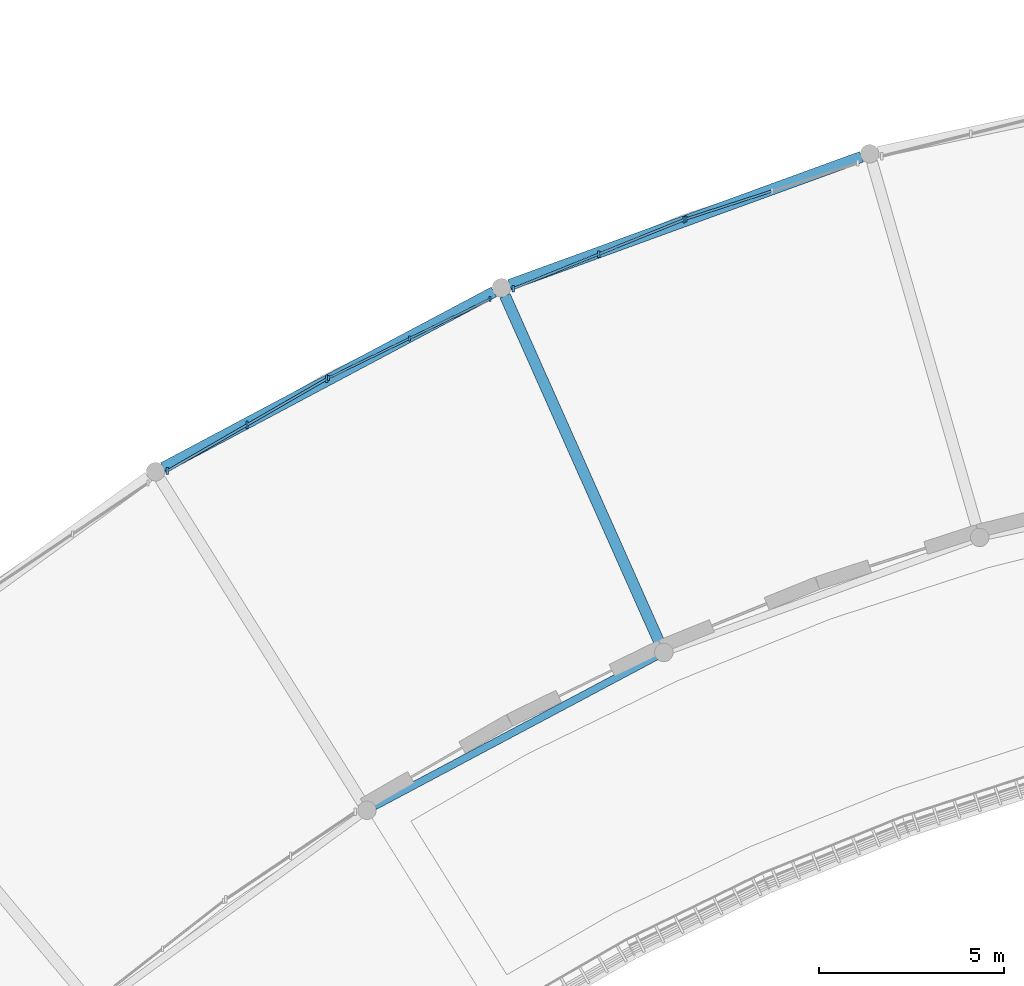
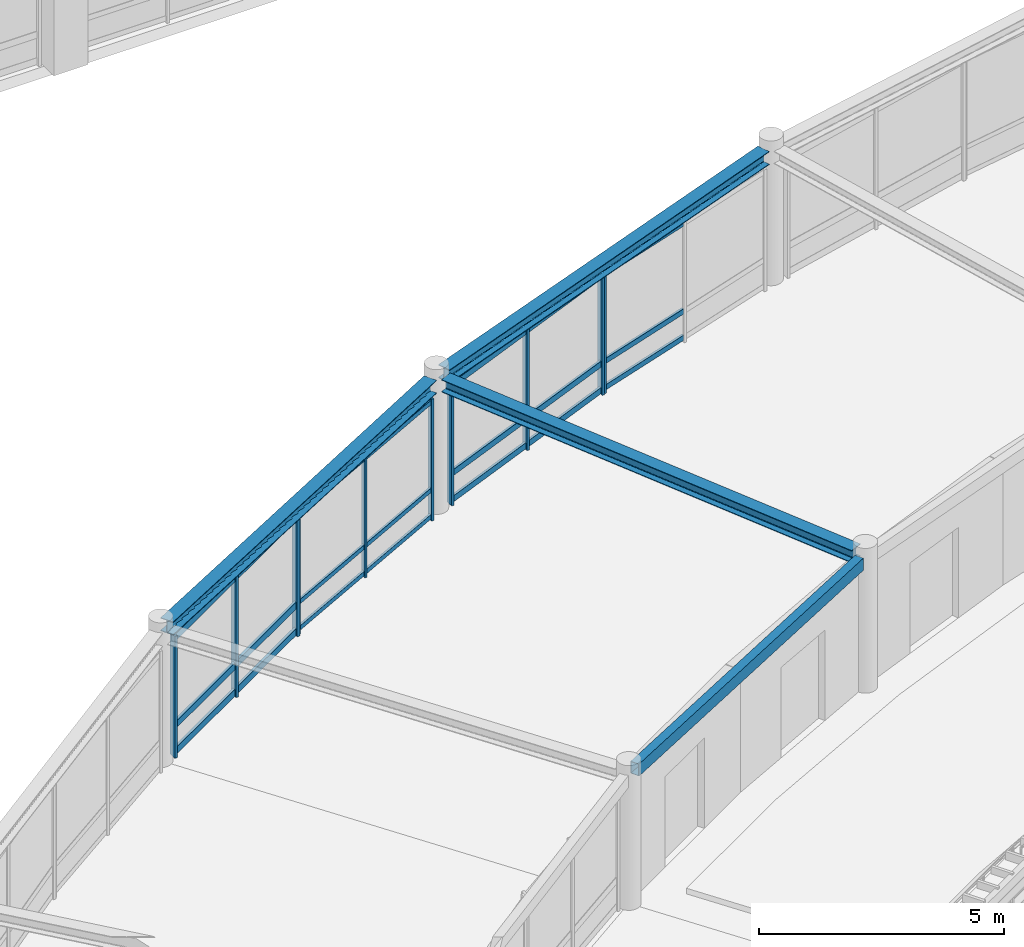
# One storey, part 29 of 74: 31 members, 4 beams, 4 elements without a shape of their own.
"""IFC4 building model written with IfcOpenShell, lengths in metres."""

from ifc_helpers import new_model, si_unit, direction, frame, origin, origin_2d, place, context, subcontext, project, spatial, rectangle, hollow_rectangle, i_section, extrude, material, material_profile, profile_set, type_object, element, aggregate, save


model = new_model("IFC4")

# Units and contexts
model_context = context("Model", 3, precision=1e-05, world=origin(), true_north=direction((0.0, 1.0)))
body_context = subcontext(model_context, "Body", "Model", "MODEL_VIEW")
ifc_project = project(units=[si_unit("LENGTHUNIT", "METRE"), si_unit("AREAUNIT", "SQUARE_METRE"), si_unit("VOLUMEUNIT", "CUBIC_METRE"), si_unit("PLANEANGLEUNIT", "RADIAN"), si_unit("MASSUNIT", "GRAM", prefix="KILO")], contexts=[model_context])

# Site, building, storey
site_placement = place(None, origin())
site = spatial("IfcSite", under=ifc_project, at=site_placement, CompositionType="ELEMENT")
building_placement = place(site_placement, origin())
building = spatial("IfcBuilding", under=site, at=building_placement, Name="Clarverna Civic Hall", CompositionType="ELEMENT")
storey_placement = place(building_placement, frame((0.0, 0.0, 9.60009765625)))
storey = spatial("IfcBuildingStorey", under=building, at=storey_placement, Name="L02", CompositionType="ELEMENT", Elevation=9.60009765625)

# Beams
ifc_material_1 = material(Name="Steel S355", Category="steel")
ifc_material_profile_1 = material_profile(ifc_material_1, hollow_rectangle(XDim=0.199951171875, YDim=0.300048828125, WallThickness=0.010009765625, at=origin_2d()), Name="RHS 300x200x10.0")
ifc_profile_set_1 = profile_set([ifc_material_profile_1], Name="Steel S355")
beam_type_1 = type_object("IfcBeamType", Name="B-ST15", PredefinedType="SPANDREL", material=ifc_profile_set_1)
beam_1_placement = place(storey_placement, frame((125.273193359375, 67.452880859375, 3.2099609375), z_axis=(-0.882944532476, -0.469477318483, 0.0), x_axis=(0.469477318483, -0.882944532476, 0.0)))
element("IfcBeam", 1, at=beam_1_placement, inside=storey, type_object=beam_type_1, Name="B-ST15-021", PredefinedType="SPANDREL", context=body_context, shape_type="SweptSolid", body=[
    extrude(hollow_rectangle(XDim=0.199951171875, YDim=0.300048828125, WallThickness=0.010009765625, at=origin_2d()), origin(), (0.0, 0.0, 1.0), 8.626220703125),
])
ifc_material_profile_2 = material_profile(ifc_material_1, i_section(OverallWidth=0.300048828125, OverallDepth=0.330078125, WebThickness=0.009521484375, FlangeThickness=0.0166015625, FilletRadius=0.027099609375, at=origin_2d()), Name="HEA 340")
ifc_profile_set_2 = profile_set([ifc_material_profile_2], Name="Steel S355")
beam_type_2 = type_object("IfcBeamType", Name="B-ST8", PredefinedType="BEAM", material=ifc_profile_set_2)
for number, where, z_axis, x_axis, name in (
    (2, (130.830810546875, 80.9755859375, 3.19482421875), (-0.93969701188, -0.342008078653, 0.0), (0.342008078653, -0.93969701188, 0.0), "B-ST8-079"),
    (3, (120.880615234375, 77.319091796875, 3.19482421875), (-0.882953141103, -0.469461127907, 0.0), (0.469461127907, -0.882953141103, 0.0), "B-ST8-080"),
):
    element("IfcBeam", number, at=place(storey_placement, frame(where, z_axis=z_axis, x_axis=x_axis)), inside=storey, type_object=beam_type_2, Name=name, PredefinedType="BEAM", context=body_context, shape_type="SweptSolid", body=[
        extrude(i_section(OverallWidth=0.300048828125, OverallDepth=0.330078125, WebThickness=0.009521484375, FlangeThickness=0.0166015625, FilletRadius=0.027099609375, at=origin_2d()), origin(), (0.0, 0.0, 1.0), 10.133056640625),
    ])
ifc_material_profile_3 = material_profile(ifc_material_1, i_section(OverallWidth=0.300048828125, OverallDepth=0.31005859375, WebThickness=0.009033203125, FlangeThickness=0.015380859375, FilletRadius=0.027099609375, at=origin_2d()), Name="HEA 320")
ifc_profile_set_3 = profile_set([ifc_material_profile_3], Name="Steel S355")
beam_type_3 = type_object("IfcBeamType", Name="B-ST9", PredefinedType="BEAM", material=ifc_profile_set_3)
beam_2_placement = place(storey_placement, frame((125.38525390625, 67.77783203125, 3.204833984375), z_axis=(-0.406739215049, 0.913544312522, 0.0), x_axis=(-0.913544312522, -0.406739215049, 0.0)))
element("IfcBeam", 4, at=beam_2_placement, inside=storey, type_object=beam_type_3, Name="B-ST9-079", PredefinedType="BEAM", context=body_context, shape_type="SweptSolid", body=[
    extrude(i_section(OverallWidth=0.300048828125, OverallDepth=0.31005859375, WebThickness=0.009033203125, FlangeThickness=0.015380859375, FilletRadius=0.027099609375, at=origin_2d()), origin(), (0.0, 0.0, 1.0), 10.330078125),
])

# Curtain wall, members
ifc_material_2 = material(Name="Anodised Bronze Architectural Aluminium", Category="aluminium")
curtain_wall_type = type_object("IfcCurtainWallType", Name="CW-03", PredefinedType="USERDEFINED", material=ifc_material_2)
curtain_wall_1_placement = place(storey_placement, origin())
curtain_wall_1 = element("IfcCurtainWall", 5, at=curtain_wall_1_placement, inside=storey, type_object=curtain_wall_type, Name="CW-03-053", ObjectType="UNITISED CURTAIN WALL", PredefinedType="USERDEFINED")
ifc_material_profile_4 = material_profile(ifc_material_2, rectangle(XDim=0.06005859375, YDim=0.179931640625, at=origin_2d()), Name="BRONZE 60x180")
ifc_profile_set_4 = profile_set([ifc_material_profile_4], Name="Anodised Bronze Architectural Aluminium")
member_type_1 = type_object("IfcMemberType", Name="CWM-01", PredefinedType="MULLION", material=ifc_profile_set_4)
member_1_placement = place(storey_placement, frame((121.40869140625, 77.408203125, 0.0), z_axis=(0.0, 0.0, 1.0), x_axis=(1.0, 0.0, 0.0)))
member_1 = element("IfcMember", 6, at=member_1_placement, type_object=member_type_1, Name="CWM-01-096", PredefinedType="MULLION", context=body_context, shape_type="SweptSolid", body=[
    extrude(rectangle(XDim=0.06005859375, YDim=0.179931640625, at=origin_2d()), origin(), (0.0, 0.0, 1.0), 3.02978515625),
])
member_2_placement = place(storey_placement, frame((123.718505859375, 78.34130859375, 0.0), z_axis=(0.0, 0.0, 1.0), x_axis=(1.0, 0.0, 0.0)))
member_2 = element("IfcMember", 7, at=member_2_placement, type_object=member_type_1, Name="CWM-01-097", PredefinedType="MULLION", context=body_context, shape_type="SweptSolid", body=[
    extrude(rectangle(XDim=0.06005859375, YDim=0.179931640625, at=origin_2d()), origin(), (0.0, 0.0, 1.0), 3.02978515625),
])
member_3_placement = place(storey_placement, frame((126.0283203125, 79.2744140625, 0.0), z_axis=(0.0, 0.0, 1.0), x_axis=(1.0, 0.0, 0.0)))
member_3 = element("IfcMember", 8, at=member_3_placement, type_object=member_type_1, Name="CWM-01-098", PredefinedType="MULLION", context=body_context, shape_type="SweptSolid", body=[
    extrude(rectangle(XDim=0.06005859375, YDim=0.179931640625, at=origin_2d()), origin(), (0.0, 0.0, 1.0), 3.02978515625),
])

# Curtain wall, member
curtain_wall_2_placement = place(storey_placement, origin())
curtain_wall_2 = element("IfcCurtainWall", 9, at=curtain_wall_2_placement, inside=storey, type_object=curtain_wall_type, Name="CW-03-054", ObjectType="UNITISED CURTAIN WALL", PredefinedType="USERDEFINED")
ifc_material_profile_5 = material_profile(ifc_material_2, rectangle(XDim=0.06005859375, YDim=0.159912109375, at=origin_2d()), Name="BRONZE 60x160")
ifc_profile_set_5 = profile_set([ifc_material_profile_5], Name="Anodised Bronze Architectural Aluminium")
member_type_2 = type_object("IfcMemberType", Name="CWM-02", PredefinedType="MULLION", material=ifc_profile_set_5)
member_4_placement = place(storey_placement, frame((126.081298828125, 79.293701171875, 0.0), z_axis=(0.0, 0.0, 1.0), x_axis=(1.0, 0.0, 0.0)))
member_4 = element("IfcMember", 10, at=member_4_placement, type_object=member_type_2, Name="CWM-02-124", PredefinedType="MULLION", context=body_context, shape_type="SweptSolid", body=[
    extrude(rectangle(XDim=0.06005859375, YDim=0.159912109375, at=origin_2d()), origin(), (0.0, 0.0, 1.0), 3.02978515625),
])

# Curtain wall, members
curtain_wall_3_placement = place(storey_placement, origin())
curtain_wall_3 = element("IfcCurtainWall", 11, at=curtain_wall_3_placement, inside=storey, type_object=curtain_wall_type, Name="CW-03-051", ObjectType="UNITISED CURTAIN WALL", PredefinedType="USERDEFINED")
ifc_material_profile_6 = material_profile(ifc_material_2, rectangle(XDim=0.06494140625, YDim=0.199951171875, at=origin_2d()), Name="BRONZE 65x200")
ifc_profile_set_6 = profile_set([ifc_material_profile_6], Name="Anodised Bronze Architectural Aluminium")
member_type_3 = type_object("IfcMemberType", Name="CWM-03", PredefinedType="MULLION", material=ifc_profile_set_6)
member_5_placement = place(storey_placement, frame((112.044677734375, 72.47412109375, 0.0), z_axis=(0.0, 0.0, 1.0), x_axis=(1.0, 0.0, 0.0)))
member_5 = element("IfcMember", 12, at=member_5_placement, type_object=member_type_3, Name="CWM-03-097", PredefinedType="MULLION", context=body_context, shape_type="SweptSolid", body=[
    extrude(rectangle(XDim=0.06494140625, YDim=0.199951171875, at=origin_2d()), origin(), (0.0, 0.0, 1.0), 3.02978515625),
])
member_6_placement = place(storey_placement, frame((114.203125, 73.72021484375, 0.0), z_axis=(0.0, 0.0, 1.0), x_axis=(1.0, 0.0, 0.0)))
member_6 = element("IfcMember", 13, at=member_6_placement, type_object=member_type_3, Name="CWM-03-098", PredefinedType="MULLION", context=body_context, shape_type="SweptSolid", body=[
    extrude(rectangle(XDim=0.06494140625, YDim=0.199951171875, at=origin_2d()), origin(), (0.0, 0.0, 1.0), 3.02978515625),
])
member_7_placement = place(storey_placement, frame((116.361572265625, 74.96630859375, 0.0), z_axis=(0.0, 0.0, 1.0), x_axis=(1.0, 0.0, 0.0)))
member_7 = element("IfcMember", 14, at=member_7_placement, type_object=member_type_3, Name="CWM-03-099", PredefinedType="MULLION", context=body_context, shape_type="SweptSolid", body=[
    extrude(rectangle(XDim=0.06494140625, YDim=0.199951171875, at=origin_2d()), origin(), (0.0, 0.0, 1.0), 3.02978515625),
])

curtain_wall_4_placement = place(storey_placement, origin())
curtain_wall_4 = element("IfcCurtainWall", 15, at=curtain_wall_4_placement, inside=storey, type_object=curtain_wall_type, Name="CW-03-052", ObjectType="UNITISED CURTAIN WALL", PredefinedType="USERDEFINED")
ifc_material_profile_7 = material_profile(ifc_material_2, rectangle(XDim=0.054931640625, YDim=0.139892578125, at=origin_2d()), Name="BRONZE 55x140")
ifc_profile_set_7 = profile_set([ifc_material_profile_7], Name="Anodised Bronze Architectural Aluminium")
member_type_4 = type_object("IfcMemberType", Name="CWM-04", PredefinedType="MULLION", material=ifc_profile_set_7)
member_8_placement = place(storey_placement, frame((116.411376953125, 74.99267578125, 0.0), z_axis=(0.0, 0.0, 1.0), x_axis=(1.0, 0.0, 0.0)))
member_8 = element("IfcMember", 16, at=member_8_placement, type_object=member_type_4, Name="CWM-04-125", PredefinedType="MULLION", context=body_context, shape_type="SweptSolid", body=[
    extrude(rectangle(XDim=0.054931640625, YDim=0.139892578125, at=origin_2d()), origin(), (0.0, 0.0, 1.0), 3.02978515625),
])
member_9_placement = place(storey_placement, frame((118.59716796875, 76.058837890625, 0.0), z_axis=(0.0, 0.0, 1.0), x_axis=(1.0, 0.0, 0.0)))
member_9 = element("IfcMember", 17, at=member_9_placement, type_object=member_type_4, Name="CWM-04-126", PredefinedType="MULLION", context=body_context, shape_type="SweptSolid", body=[
    extrude(rectangle(XDim=0.054931640625, YDim=0.139892578125, at=origin_2d()), origin(), (0.0, 0.0, 1.0), 3.02978515625),
])
member_10_placement = place(storey_placement, frame((120.783203125, 77.125, 0.0), z_axis=(0.0, 0.0, 1.0), x_axis=(1.0, 0.0, 0.0)))
member_10 = element("IfcMember", 18, at=member_10_placement, type_object=member_type_4, Name="CWM-04-127", PredefinedType="MULLION", context=body_context, shape_type="SweptSolid", body=[
    extrude(rectangle(XDim=0.054931640625, YDim=0.139892578125, at=origin_2d()), origin(), (0.0, 0.0, 1.0), 3.02978515625),
])

# Member
ifc_material_profile_8 = material_profile(ifc_material_2, rectangle(XDim=0.06005859375, YDim=0.14990234375, at=origin_2d()), Name="BRONZE 60x150")
ifc_profile_set_8 = profile_set([ifc_material_profile_8], Name="Anodised Bronze Architectural Aluminium")
member_type_5 = type_object("IfcMemberType", Name="CWT-01", PredefinedType="USERDEFINED", material=ifc_profile_set_8)
member_11_placement = place(storey_placement, frame((121.422607421875, 77.413818359375, 0.094970703125), z_axis=(0.927198777068, 0.374569656811, 0.0), x_axis=(-0.374569656811, 0.927198777068, 0.0)))
member_11 = element("IfcMember", 19, at=member_11_placement, type_object=member_type_5, Name="CWT-01-202", ObjectType="TRANSOM", PredefinedType="USERDEFINED", context=body_context, shape_type="SweptSolid", body=[
    extrude(rectangle(XDim=0.06005859375, YDim=0.14990234375, at=origin_2d()), origin(), (0.0, 0.0, 1.0), 2.461181640625),
])

member_12_placement = place(storey_placement, frame((121.422607421875, 77.413818359375, 0.75), z_axis=(0.927198777068, 0.374569656811, 0.0), x_axis=(-0.374569656811, 0.927198777068, 0.0)))
member_12 = element("IfcMember", 20, at=member_12_placement, type_object=member_type_5, Name="CWT-01-203", ObjectType="TRANSOM", PredefinedType="USERDEFINED", context=body_context, shape_type="SweptSolid", body=[
    extrude(rectangle(XDim=0.06005859375, YDim=0.14990234375, at=origin_2d()), origin(), (0.0, 0.0, 1.0), 2.461181640625),
])

member_13_placement = place(storey_placement, frame((121.422607421875, 77.413818359375, 2.934814453125), z_axis=(0.927198777068, 0.374569656811, 0.0), x_axis=(-0.374569656811, 0.927198777068, 0.0)))
member_13 = element("IfcMember", 21, at=member_13_placement, type_object=member_type_5, Name="CWT-01-204", ObjectType="TRANSOM", PredefinedType="USERDEFINED", context=body_context, shape_type="SweptSolid", body=[
    extrude(rectangle(XDim=0.06005859375, YDim=0.14990234375, at=origin_2d()), origin(), (0.0, 0.0, 1.0), 2.461181640625),
])

member_14_placement = place(storey_placement, frame((123.732421875, 78.346923828125, 0.094970703125), z_axis=(0.927198777068, 0.374569656811, 0.0), x_axis=(-0.374569656811, 0.927198777068, 0.0)))
member_14 = element("IfcMember", 22, at=member_14_placement, type_object=member_type_5, Name="CWT-01-205", ObjectType="TRANSOM", PredefinedType="USERDEFINED", context=body_context, shape_type="SweptSolid", body=[
    extrude(rectangle(XDim=0.06005859375, YDim=0.14990234375, at=origin_2d()), origin(), (0.0, 0.0, 1.0), 2.461181640625),
])

member_15_placement = place(storey_placement, frame((123.732421875, 78.346923828125, 0.75), z_axis=(0.927198777068, 0.374569656811, 0.0), x_axis=(-0.374569656811, 0.927198777068, 0.0)))
member_15 = element("IfcMember", 23, at=member_15_placement, type_object=member_type_5, Name="CWT-01-206", ObjectType="TRANSOM", PredefinedType="USERDEFINED", context=body_context, shape_type="SweptSolid", body=[
    extrude(rectangle(XDim=0.06005859375, YDim=0.14990234375, at=origin_2d()), origin(), (0.0, 0.0, 1.0), 2.461181640625),
])

member_16_placement = place(storey_placement, frame((123.732421875, 78.346923828125, 2.934814453125), z_axis=(0.927198777068, 0.374569656811, 0.0), x_axis=(-0.374569656811, 0.927198777068, 0.0)))
member_16 = element("IfcMember", 24, at=member_16_placement, type_object=member_type_5, Name="CWT-01-207", ObjectType="TRANSOM", PredefinedType="USERDEFINED", context=body_context, shape_type="SweptSolid", body=[
    extrude(rectangle(XDim=0.06005859375, YDim=0.14990234375, at=origin_2d()), origin(), (0.0, 0.0, 1.0), 2.461181640625),
])

aggregate(curtain_wall_1, [member_1, member_2, member_3, member_11, member_12, member_13, member_14, member_15, member_16])

ifc_material_profile_9 = material_profile(ifc_material_2, rectangle(XDim=0.06005859375, YDim=0.1298828125, at=origin_2d()), Name="BRONZE 60x130")
ifc_profile_set_9 = profile_set([ifc_material_profile_9], Name="Anodised Bronze Architectural Aluminium")
member_type_6 = type_object("IfcMemberType", Name="CWT-02", PredefinedType="USERDEFINED", material=ifc_profile_set_9)
member_17_placement = place(storey_placement, frame((126.095458984375, 79.29833984375, 0.094970703125), z_axis=(0.951042986681, 0.309058631146, 0.0), x_axis=(-0.309058631146, 0.951042986681, 0.0)))
member_17 = element("IfcMember", 25, at=member_17_placement, type_object=member_type_6, Name="CWT-02-259", ObjectType="TRANSOM", PredefinedType="USERDEFINED", context=body_context, shape_type="SweptSolid", body=[
    extrude(rectangle(XDim=0.06005859375, YDim=0.1298828125, at=origin_2d()), origin(), (0.0, 0.0, 1.0), 2.4140625),
])

member_18_placement = place(storey_placement, frame((126.095458984375, 79.29833984375, 0.75), z_axis=(0.951042986681, 0.309058631146, 0.0), x_axis=(-0.309058631146, 0.951042986681, 0.0)))
member_18 = element("IfcMember", 26, at=member_18_placement, type_object=member_type_6, Name="CWT-02-260", ObjectType="TRANSOM", PredefinedType="USERDEFINED", context=body_context, shape_type="SweptSolid", body=[
    extrude(rectangle(XDim=0.06005859375, YDim=0.1298828125, at=origin_2d()), origin(), (0.0, 0.0, 1.0), 2.4140625),
])

member_19_placement = place(storey_placement, frame((126.095458984375, 79.29833984375, 2.934814453125), z_axis=(0.951042986681, 0.309058631146, 0.0), x_axis=(-0.309058631146, 0.951042986681, 0.0)))
member_19 = element("IfcMember", 27, at=member_19_placement, type_object=member_type_6, Name="CWT-02-261", ObjectType="TRANSOM", PredefinedType="USERDEFINED", context=body_context, shape_type="SweptSolid", body=[
    extrude(rectangle(XDim=0.06005859375, YDim=0.1298828125, at=origin_2d()), origin(), (0.0, 0.0, 1.0), 2.4140625),
])

aggregate(curtain_wall_2, [member_4, member_17, member_18, member_19])

ifc_material_profile_10 = material_profile(ifc_material_2, rectangle(XDim=0.06494140625, YDim=0.169921875, at=origin_2d()), Name="BRONZE 65x170")
ifc_profile_set_10 = profile_set([ifc_material_profile_10], Name="Anodised Bronze Architectural Aluminium")
member_type_7 = type_object("IfcMemberType", Name="CWT-03", PredefinedType="USERDEFINED", material=ifc_profile_set_10)
member_20_placement = place(storey_placement, frame((112.0576171875, 72.4814453125, 0.094970703125), z_axis=(0.86603204091, 0.499988503985, 0.0), x_axis=(-0.499988503985, 0.86603204091, 0.0)))
member_20 = element("IfcMember", 28, at=member_20_placement, type_object=member_type_7, Name="CWT-03-205", ObjectType="TRANSOM", PredefinedType="USERDEFINED", context=body_context, shape_type="SweptSolid", body=[
    extrude(rectangle(XDim=0.06494140625, YDim=0.169921875, at=origin_2d()), origin(), (0.0, 0.0, 1.0), 2.46240234375),
])

member_21_placement = place(storey_placement, frame((112.0576171875, 72.4814453125, 0.75), z_axis=(0.86603204091, 0.499988503985, 0.0), x_axis=(-0.499988503985, 0.86603204091, 0.0)))
member_21 = element("IfcMember", 29, at=member_21_placement, type_object=member_type_7, Name="CWT-03-206", ObjectType="TRANSOM", PredefinedType="USERDEFINED", context=body_context, shape_type="SweptSolid", body=[
    extrude(rectangle(XDim=0.06494140625, YDim=0.169921875, at=origin_2d()), origin(), (0.0, 0.0, 1.0), 2.46240234375),
])

member_22_placement = place(storey_placement, frame((112.0576171875, 72.4814453125, 2.934814453125), z_axis=(0.86603204091, 0.499988503985, 0.0), x_axis=(-0.499988503985, 0.86603204091, 0.0)))
member_22 = element("IfcMember", 30, at=member_22_placement, type_object=member_type_7, Name="CWT-03-207", ObjectType="TRANSOM", PredefinedType="USERDEFINED", context=body_context, shape_type="SweptSolid", body=[
    extrude(rectangle(XDim=0.06494140625, YDim=0.169921875, at=origin_2d()), origin(), (0.0, 0.0, 1.0), 2.46240234375),
])

member_23_placement = place(storey_placement, frame((114.216064453125, 73.7275390625, 0.094970703125), z_axis=(0.86603204091, 0.499988503985, 0.0), x_axis=(-0.499988503985, 0.86603204091, 0.0)))
member_23 = element("IfcMember", 31, at=member_23_placement, type_object=member_type_7, Name="CWT-03-208", ObjectType="TRANSOM", PredefinedType="USERDEFINED", context=body_context, shape_type="SweptSolid", body=[
    extrude(rectangle(XDim=0.06494140625, YDim=0.169921875, at=origin_2d()), origin(), (0.0, 0.0, 1.0), 2.46240234375),
])

member_24_placement = place(storey_placement, frame((114.216064453125, 73.7275390625, 0.75), z_axis=(0.86603204091, 0.499988503985, 0.0), x_axis=(-0.499988503985, 0.86603204091, 0.0)))
member_24 = element("IfcMember", 32, at=member_24_placement, type_object=member_type_7, Name="CWT-03-209", ObjectType="TRANSOM", PredefinedType="USERDEFINED", context=body_context, shape_type="SweptSolid", body=[
    extrude(rectangle(XDim=0.06494140625, YDim=0.169921875, at=origin_2d()), origin(), (0.0, 0.0, 1.0), 2.46240234375),
])

member_25_placement = place(storey_placement, frame((114.216064453125, 73.7275390625, 2.934814453125), z_axis=(0.86603204091, 0.499988503985, 0.0), x_axis=(-0.499988503985, 0.86603204091, 0.0)))
member_25 = element("IfcMember", 33, at=member_25_placement, type_object=member_type_7, Name="CWT-03-210", ObjectType="TRANSOM", PredefinedType="USERDEFINED", context=body_context, shape_type="SweptSolid", body=[
    extrude(rectangle(XDim=0.06494140625, YDim=0.169921875, at=origin_2d()), origin(), (0.0, 0.0, 1.0), 2.46240234375),
])

aggregate(curtain_wall_3, [member_5, member_6, member_7, member_20, member_21, member_22, member_23, member_24, member_25])

ifc_material_profile_11 = material_profile(ifc_material_2, rectangle(XDim=0.054931640625, YDim=0.110107421875, at=origin_2d()), Name="BRONZE 55x110")
ifc_profile_set_11 = profile_set([ifc_material_profile_11], Name="Anodised Bronze Architectural Aluminium")
member_type_8 = type_object("IfcMemberType", Name="CWT-04", PredefinedType="USERDEFINED", material=ifc_profile_set_11)
member_26_placement = place(storey_placement, frame((116.4248046875, 74.999267578125, 0.094970703125), z_axis=(0.898794818419, 0.438369563705, 0.0), x_axis=(-0.438369563705, 0.898794818419, 0.0)))
member_26 = element("IfcMember", 34, at=member_26_placement, type_object=member_type_8, Name="CWT-04-262", ObjectType="TRANSOM", PredefinedType="USERDEFINED", context=body_context, shape_type="SweptSolid", body=[
    extrude(rectangle(XDim=0.054931640625, YDim=0.110107421875, at=origin_2d()), origin(), (0.0, 0.0, 1.0), 2.402099609375),
])

member_27_placement = place(storey_placement, frame((116.4248046875, 74.999267578125, 0.75), z_axis=(0.898794818419, 0.438369563705, 0.0), x_axis=(-0.438369563705, 0.898794818419, 0.0)))
member_27 = element("IfcMember", 35, at=member_27_placement, type_object=member_type_8, Name="CWT-04-263", ObjectType="TRANSOM", PredefinedType="USERDEFINED", context=body_context, shape_type="SweptSolid", body=[
    extrude(rectangle(XDim=0.054931640625, YDim=0.110107421875, at=origin_2d()), origin(), (0.0, 0.0, 1.0), 2.402099609375),
])

member_28_placement = place(storey_placement, frame((116.4248046875, 74.999267578125, 2.934814453125), z_axis=(0.898794818419, 0.438369563705, 0.0), x_axis=(-0.438369563705, 0.898794818419, 0.0)))
member_28 = element("IfcMember", 36, at=member_28_placement, type_object=member_type_8, Name="CWT-04-264", ObjectType="TRANSOM", PredefinedType="USERDEFINED", context=body_context, shape_type="SweptSolid", body=[
    extrude(rectangle(XDim=0.054931640625, YDim=0.110107421875, at=origin_2d()), origin(), (0.0, 0.0, 1.0), 2.402099609375),
])

member_29_placement = place(storey_placement, frame((118.610595703125, 76.0654296875, 0.094970703125), z_axis=(0.898794818419, 0.438369563705, 0.0), x_axis=(-0.438369563705, 0.898794818419, 0.0)))
member_29 = element("IfcMember", 37, at=member_29_placement, type_object=member_type_8, Name="CWT-04-265", ObjectType="TRANSOM", PredefinedType="USERDEFINED", context=body_context, shape_type="SweptSolid", body=[
    extrude(rectangle(XDim=0.054931640625, YDim=0.110107421875, at=origin_2d()), origin(), (0.0, 0.0, 1.0), 2.402099609375),
])

member_30_placement = place(storey_placement, frame((118.610595703125, 76.0654296875, 0.75), z_axis=(0.898794818419, 0.438369563705, 0.0), x_axis=(-0.438369563705, 0.898794818419, 0.0)))
member_30 = element("IfcMember", 38, at=member_30_placement, type_object=member_type_8, Name="CWT-04-266", ObjectType="TRANSOM", PredefinedType="USERDEFINED", context=body_context, shape_type="SweptSolid", body=[
    extrude(rectangle(XDim=0.054931640625, YDim=0.110107421875, at=origin_2d()), origin(), (0.0, 0.0, 1.0), 2.402099609375),
])

member_31_placement = place(storey_placement, frame((118.610595703125, 76.0654296875, 2.934814453125), z_axis=(0.898794818419, 0.438369563705, 0.0), x_axis=(-0.438369563705, 0.898794818419, 0.0)))
member_31 = element("IfcMember", 39, at=member_31_placement, type_object=member_type_8, Name="CWT-04-267", ObjectType="TRANSOM", PredefinedType="USERDEFINED", context=body_context, shape_type="SweptSolid", body=[
    extrude(rectangle(XDim=0.054931640625, YDim=0.110107421875, at=origin_2d()), origin(), (0.0, 0.0, 1.0), 2.402099609375),
])

aggregate(curtain_wall_4, [member_8, member_9, member_10, member_26, member_27, member_28, member_29, member_30, member_31])

save(model, "model.ifc")
